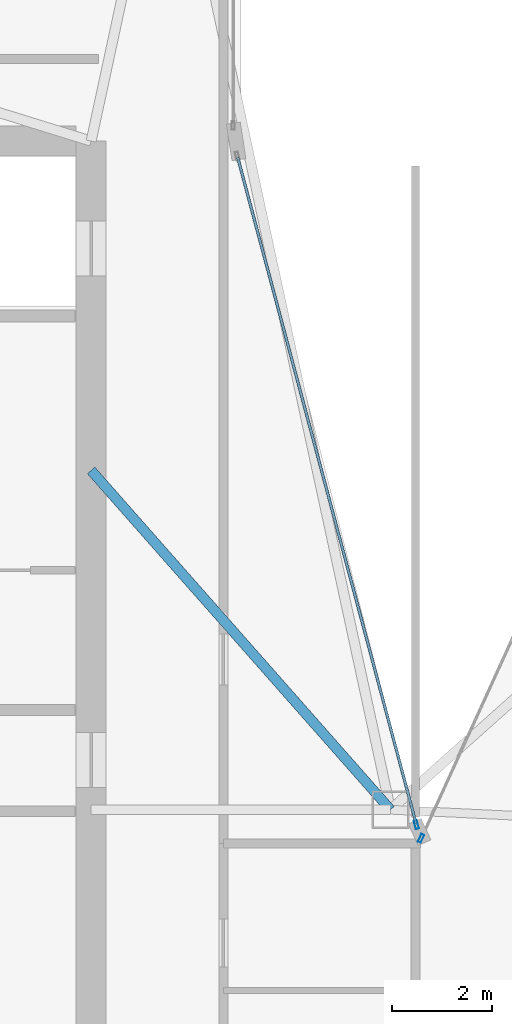
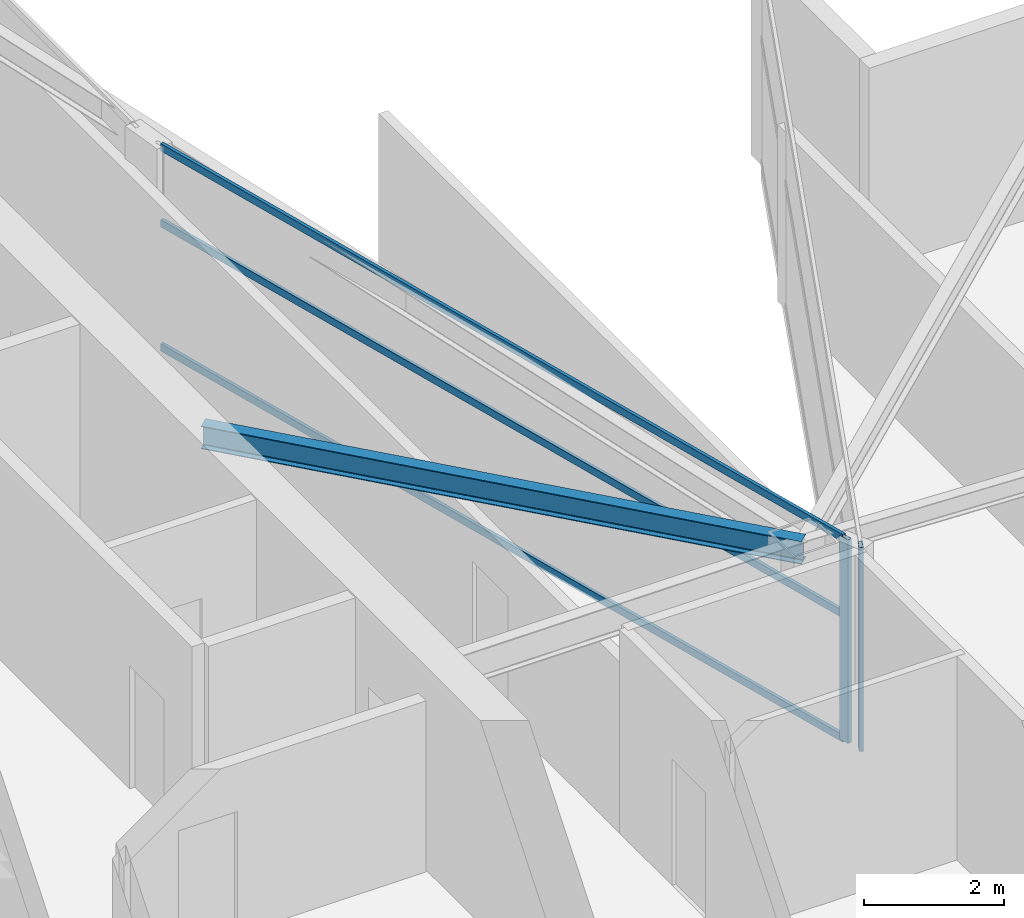
# One storey, part 12 of 27: 5 members, 1 beam, 2 elements without a shape of their own.
"""IFC4 building model written with IfcOpenShell, lengths in metres."""

from ifc_helpers import new_model, si_unit, direction, frame, origin, origin_2d, place, context, subcontext, project, spatial, hollow_rectangle, i_section, extrude, material, layer, layer_set, material_profile, profile_set, type_object, element, aggregate, save


model = new_model("IFC4")

# Units and contexts
model_context = context("Model", 3, precision=1e-05, world=origin(), true_north=direction((0.0, 1.0)))
body_context = subcontext(model_context, "Body", "Model", "MODEL_VIEW")
ifc_project = project(units=[si_unit("LENGTHUNIT", "METRE"), si_unit("AREAUNIT", "SQUARE_METRE"), si_unit("VOLUMEUNIT", "CUBIC_METRE"), si_unit("PLANEANGLEUNIT", "RADIAN"), si_unit("MASSUNIT", "GRAM", prefix="KILO")], contexts=[model_context])

# Site, building, storey
site_placement = place(None, origin())
site = spatial("IfcSite", under=ifc_project, at=site_placement, CompositionType="ELEMENT")
building_placement = place(site_placement, origin())
building = spatial("IfcBuilding", under=site, at=building_placement, Name="Calvorn Quay Hotel", CompositionType="ELEMENT")
storey_placement = place(building_placement, frame((0.0, 0.0, 287.300048828125)))
storey = spatial("IfcBuildingStorey", under=building, at=storey_placement, Name="L71", CompositionType="ELEMENT", Elevation=287.300048828125)

# Beam
ifc_material_1 = material(Name="Steel Q355B", Category="steel")
ifc_material_profile_1 = material_profile(ifc_material_1, i_section(OverallWidth=0.199951171875, OverallDepth=0.39990234375, WebThickness=0.008056640625, FlangeThickness=0.012939453125, FilletRadius=0.01611328125, at=origin_2d()), Name="HN400x200x8x13")
ifc_profile_set_1 = profile_set([ifc_material_profile_1], Name="Steel Q355B")
beam_type = type_object("IfcBeamType", Name="BM-JOIST-TYP", PredefinedType="JOIST", material=ifc_profile_set_1)
beam_placement = place(storey_placement, frame((15.0, 31.800048828125, 3.33984375), z_axis=(0.661618965899, -0.749840212287, 0.0), x_axis=(0.749840212287, 0.661618965899, 0.0)))
element("IfcBeam", 1, at=beam_placement, inside=storey, type_object=beam_type, Name="Beam BJ-L71-C1", PredefinedType="JOIST", context=body_context, shape_type="SweptSolid", body=[
    extrude(i_section(OverallWidth=0.199951171875, OverallDepth=0.39990234375, WebThickness=0.008056640625, FlangeThickness=0.012939453125, FilletRadius=0.01611328125, at=origin_2d()), origin(), (0.0, 0.0, 1.0), 9.068603515625),
])

# Curtain wall, member
ifc_material_2 = material(Name="Champagne Bronze Anodised Aluminium and Low-E Glass", Category="aluminium")
ifc_layer = layer(ifc_material_2, 0.219970703125)
ifc_layer_set = layer_set([ifc_layer], Name="CW-SYS-Z4")
curtain_wall_type = type_object("IfcCurtainWallType", Name="CW-SYS-Z4", PredefinedType="NOTDEFINED", material=ifc_layer_set)
curtain_wall_1_placement = place(storey_placement, origin())
curtain_wall_1 = element("IfcCurtainWall", 2, at=curtain_wall_1_placement, inside=storey, type_object=curtain_wall_type, Name="Inner Court Curtain Wall L71-NE1", PredefinedType="NOTDEFINED")
ifc_material_3 = material(Name="Champagne Bronze Anodised Aluminium 6063-T6", Category="aluminium")
ifc_material_profile_2 = material_profile(ifc_material_3, hollow_rectangle(XDim=0.06494140625, YDim=0.169921875, WallThickness=0.00341796875, at=origin_2d()), Name="ALU-M170x65x3.5")
ifc_profile_set_2 = profile_set([ifc_material_profile_2], Name="Champagne Bronze Anodised Aluminium 6063-T6")
member_type_1 = type_object("IfcMemberType", Name="CW-SYS-Z4-MUL", PredefinedType="MULLION", material=ifc_profile_set_2)
member_1_placement = place(storey_placement, frame((21.612548828125, 24.42724609375, 0.0), z_axis=(0.0, 0.0, 1.0), x_axis=(0.909907665981, -0.414810847724, 0.0)))
member_1 = element("IfcMember", 3, at=member_1_placement, type_object=member_type_1, Name="CW-L71-NE1 mullion 2", PredefinedType="MULLION", context=body_context, shape_type="SweptSolid", body=[
    extrude(hollow_rectangle(XDim=0.06494140625, YDim=0.169921875, WallThickness=0.00341796875, at=origin_2d()), origin(), (0.0, 0.0, 1.0), 3.56005859375),
])
aggregate(curtain_wall_1, [member_1])

# Curtain wall, members
curtain_wall_2_placement = place(storey_placement, origin())
curtain_wall_2 = element("IfcCurtainWall", 4, at=curtain_wall_2_placement, inside=storey, type_object=curtain_wall_type, Name="Inner Court Curtain Wall L71-IC1", PredefinedType="NOTDEFINED")
member_2_placement = place(storey_placement, frame((21.520263671875, 24.698974609375, 0.0), z_axis=(0.0, 0.0, 1.0), x_axis=(-0.96593652056, -0.25877913024, 0.0)))
member_2 = element("IfcMember", 5, at=member_2_placement, type_object=member_type_1, Name="CW-L71-IC1 mullion 1", PredefinedType="MULLION", context=body_context, shape_type="SweptSolid", body=[
    extrude(hollow_rectangle(XDim=0.06494140625, YDim=0.169921875, WallThickness=0.00341796875, at=origin_2d()), origin(), (0.0, 0.0, 1.0), 3.56005859375),
])
ifc_material_4 = material(Name="Champagne Bronze Anodised Aluminium 6063-T6", Category="aluminium")
ifc_material_profile_3 = material_profile(ifc_material_4, hollow_rectangle(XDim=0.054931640625, YDim=0.1298828125, WallThickness=0.003173828125, at=origin_2d()), Name="ALU-T130x55x3.2")
ifc_profile_set_3 = profile_set([ifc_material_profile_3], Name="Champagne Bronze Anodised Aluminium 6063-T6")
member_type_2 = type_object("IfcMemberType", Name="CW-SYS-Z4-TRN", PredefinedType="USERDEFINED", material=ifc_profile_set_3)
member_3_placement = place(storey_placement, frame((21.512451171875, 24.72802734375, 0.030029296875), z_axis=(-0.258781136883, 0.965935982969, 0.0), x_axis=(-0.965935982969, -0.258781136883, 0.0)))
member_3 = element("IfcMember", 6, at=member_3_placement, type_object=member_type_2, Name="CW-L71-IC1 transom 1.1", ObjectType="TRANSOM", PredefinedType="USERDEFINED", context=body_context, shape_type="SweptSolid", body=[
    extrude(hollow_rectangle(XDim=0.054931640625, YDim=0.1298828125, WallThickness=0.003173828125, at=origin_2d()), origin(), (0.0, 0.0, 1.0), 13.814453125),
])
member_4_placement = place(storey_placement, frame((21.512451171875, 24.72802734375, 2.199951171875), z_axis=(-0.258781136883, 0.965935982969, 0.0), x_axis=(-0.965935982969, -0.258781136883, 0.0)))
member_4 = element("IfcMember", 7, at=member_4_placement, type_object=member_type_2, Name="CW-L71-IC1 transom 1.2", ObjectType="TRANSOM", PredefinedType="USERDEFINED", context=body_context, shape_type="SweptSolid", body=[
    extrude(hollow_rectangle(XDim=0.054931640625, YDim=0.1298828125, WallThickness=0.003173828125, at=origin_2d()), origin(), (0.0, 0.0, 1.0), 13.814453125),
])
member_5_placement = place(storey_placement, frame((21.512451171875, 24.72802734375, 3.530029296875), z_axis=(-0.258781136883, 0.965935982969, 0.0), x_axis=(-0.965935982969, -0.258781136883, 0.0)))
member_5 = element("IfcMember", 8, at=member_5_placement, type_object=member_type_2, Name="CW-L71-IC1 transom 1.3", ObjectType="TRANSOM", PredefinedType="USERDEFINED", context=body_context, shape_type="SweptSolid", body=[
    extrude(hollow_rectangle(XDim=0.054931640625, YDim=0.1298828125, WallThickness=0.003173828125, at=origin_2d()), origin(), (0.0, 0.0, 1.0), 13.814453125),
])
aggregate(curtain_wall_2, [member_2, member_3, member_4, member_5])

save(model, "model.ifc")
